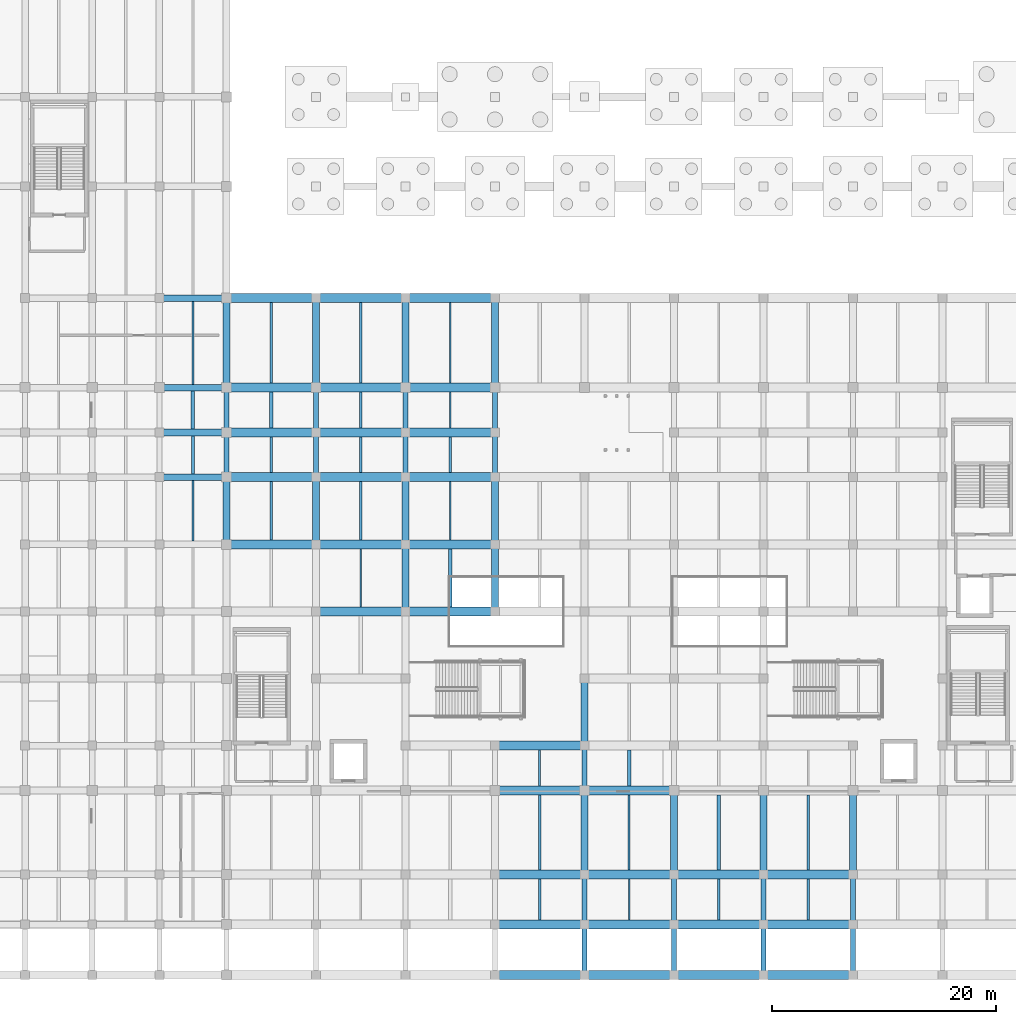
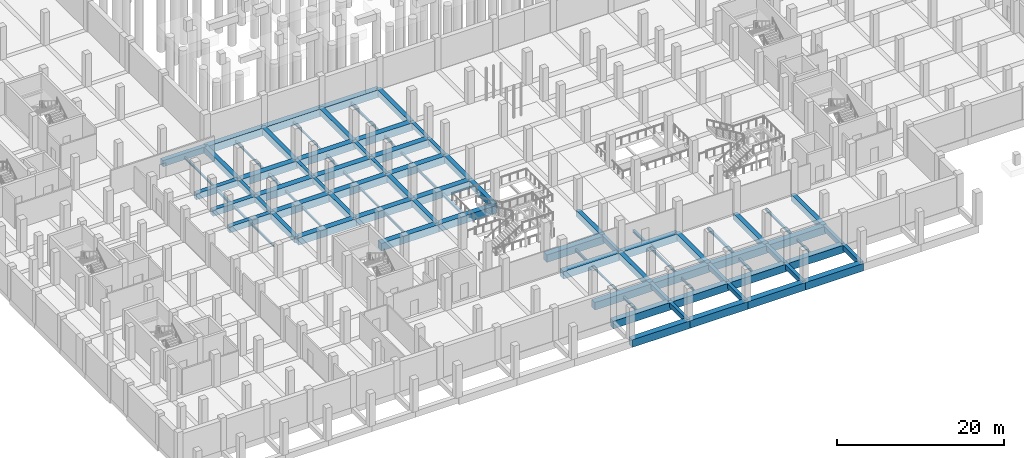
# One storey, part 13 of 36: 96 beams.
"""IFC4 building model written with IfcOpenShell, lengths in metres."""

import ifcopenshell
import ifcopenshell.guid

model = None  # the IFC model being written
_history = None  # IfcOwnerHistory: only IFC2X3 demands one
_inside = {}  # id of a spatial element -> (the spatial element, [elements in it])
_under = {}  # id of a project, library or spatial element -> (it, [spatial elements below it])
_declared = {}  # id of a project -> (the project, [libraries it declares])
_typed = {}  # id of a type object -> (the type object, [elements of that type])
_made_of = {}  # id of a material, layer set ... -> (it, [elements and type objects made of it])


def new_model(schema):
    """Start an empty IFC model of exactly this schema.

    Asked for "IFC4X3", IfcOpenShell would pick the latest addendum, in which some entities
    have other attributes; the version numbers below select the first issue.
    IFC2X3 requires an IfcOwnerHistory on every rooted entity: one is made here for all.
    """
    global model, _history
    if schema == "IFC4X3":
        model = ifcopenshell.file(schema_version=(4, 3, 0, 0))
    else:
        model = ifcopenshell.file(schema=schema)
    _inside.clear()
    _under.clear()
    _declared.clear()
    _typed.clear()
    _made_of.clear()
    _history = None
    if model.schema == "IFC2X3":
        org = make("IfcOrganization", Name="unknown")
        user = make(
            "IfcPersonAndOrganization",
            ThePerson=make("IfcPerson", FamilyName="unknown"),
            TheOrganization=org,
        )
        app = make(
            "IfcApplication",
            ApplicationDeveloper=org,
            Version="unknown",
            ApplicationFullName="unknown",
            ApplicationIdentifier="unknown",
        )
        _history = make(
            "IfcOwnerHistory",
            OwningUser=user,
            OwningApplication=app,
            ChangeAction="ADDED",
            CreationDate=0,
        )
    return model


def make(cls, **values):
    """One entity of the class cls with the attributes given. An attribute that is None is left unset."""
    return model.create_entity(
        cls, **{name: value for name, value in values.items() if value is not None}
    )


def rooted(cls, **values):
    """An entity with a GlobalId (a new one), such as an element, a storey or a relation."""
    return make(cls, GlobalId=ifcopenshell.guid.new(), OwnerHistory=_history, **values)


def si_unit(unit_type, name, prefix=None):
    """IfcSIUnit, for example si_unit("LENGTHUNIT", "METRE", prefix="MILLI")."""
    return make("IfcSIUnit", UnitType=unit_type, Prefix=prefix, Name=name)


def assignment(units):
    """IfcUnitAssignment: the units of a project."""
    return None if units is None else make("IfcUnitAssignment", Units=units)


def point(xyz):
    """IfcCartesianPoint."""
    return None if xyz is None else make("IfcCartesianPoint", Coordinates=xyz)


def direction(xyz):
    """IfcDirection."""
    return None if xyz is None else make("IfcDirection", DirectionRatios=xyz)


def frame(location, z_axis=None, x_axis=None):
    """IfcAxis2Placement3D, a coordinate frame: its origin and axes. An axis left out is left unset."""
    return make(
        "IfcAxis2Placement3D",
        Location=point(location),
        Axis=direction(z_axis),
        RefDirection=direction(x_axis),
    )


def frame_2d(location, x_axis=None):
    """IfcAxis2Placement2D, a coordinate frame in the plane: its origin and x axis."""
    return make(
        "IfcAxis2Placement2D", Location=point(location), RefDirection=direction(x_axis)
    )


def origin():
    """The frame at (0, 0, 0) with its axes left unset."""
    return frame((0.0, 0.0, 0.0))


def origin_2d():
    """The frame at (0, 0) in the plane with its x axis left unset."""
    return frame_2d((0.0, 0.0))


def place(relative_to, where):
    """IfcLocalPlacement: puts the frame where relative to a parent placement (None: the world)."""
    return make(
        "IfcLocalPlacement", PlacementRelTo=relative_to, RelativePlacement=where
    )


def context(
    kind, dimensions, precision=None, world=None, true_north=None, identifier=None
):
    """IfcGeometricRepresentationContext, for example the 3D "Model" context."""
    return make(
        "IfcGeometricRepresentationContext",
        ContextIdentifier=identifier,
        ContextType=kind,
        CoordinateSpaceDimension=dimensions,
        Precision=precision,
        WorldCoordinateSystem=world,
        TrueNorth=true_north,
    )


def subcontext(parent, identifier, kind, view, scale=None):
    """IfcGeometricRepresentationSubContext, for example "Body" below "Model"."""
    return make(
        "IfcGeometricRepresentationSubContext",
        ContextIdentifier=identifier,
        ContextType=kind,
        ParentContext=parent,
        TargetScale=scale,
        TargetView=view,
    )


def project(units=None, contexts=None):
    """IfcProject with its units and contexts."""
    return rooted(
        "IfcProject",
        Name="project",
        RepresentationContexts=contexts,
        UnitsInContext=assignment(units),
    )


def spatial(cls, under=None, at=None, **own):
    """A site, building, storey or space (cls), placed at a placement, below another one or the project."""
    s = rooted(cls, ObjectPlacement=at, **own)
    if under is not None:
        _under.setdefault(under.id(), (under, []))[1].append(s)
    return s


def profile(cls, at=None, kind="AREA", **sizes):
    """A parametric profile (cls). Its sizes go by their IFC names, for example OverallWidth=200.0."""
    return make(cls, ProfileType=kind, Position=at, **sizes)


def rectangle(**sizes):
    """IfcRectangleProfileDef."""
    return profile("IfcRectangleProfileDef", **sizes)


def i_section(**sizes):
    """IfcIShapeProfileDef."""
    return profile("IfcIShapeProfileDef", **sizes)


def extrude(swept, where, along, depth):
    """IfcExtrudedAreaSolid: the profile swept, set in the frame where, extruded along a direction by depth."""
    return make(
        "IfcExtrudedAreaSolid",
        SweptArea=swept,
        Position=where,
        ExtrudedDirection=direction(along),
        Depth=depth,
    )


def shape(context_of_items, identifier, shape_type, items):
    """IfcShapeRepresentation: the items that make up one representation, for example the "Body"."""
    return make(
        "IfcShapeRepresentation",
        ContextOfItems=context_of_items,
        RepresentationIdentifier=identifier,
        RepresentationType=shape_type,
        Items=items,
    )


def material(Name=None, Category=None):
    """IfcMaterial."""
    return make("IfcMaterial", Name=Name, Category=Category)


def material_profile(
    of_material, cross_section, Name=None, Category=None, Priority=None
):
    """IfcMaterialProfile: a cross section and its material."""
    return make(
        "IfcMaterialProfile",
        Name=Name,
        Material=of_material,
        Profile=cross_section,
        Priority=Priority,
        Category=Category,
    )


def profile_set(profiles, Name=None, composite=None):
    """IfcMaterialProfileSet."""
    return make(
        "IfcMaterialProfileSet",
        Name=Name,
        MaterialProfiles=profiles,
        CompositeProfile=composite,
    )


def made_of(thing, what):
    """Note that an element or type object is made of a material, layer set ...; save() writes the relation."""
    if what is not None:
        _made_of.setdefault(what.id(), (what, []))[1].append(thing)
    return thing


def type_object(cls, material=None, **own):
    """A type object (cls), such as IfcWallType, which elements share."""
    return made_of(rooted(cls, **own), material)


def element(
    cls,
    number,
    at=None,
    inside=None,
    cuts=None,
    type_object=None,
    material=None,
    context=None,
    identifier="Body",
    shape_type=None,
    held_by="IfcProductDefinitionShape",
    body=None,
    shapes=None,
    **own,
):
    """One element of the class cls, such as IfcWall. Its Tag is "e" and its number.

    at: its placement. inside: the storey or other place that contains it. cuts: it is an
    opening in that element (IfcRelVoidsElement). A single representation is given by context,
    identifier, shape_type and body (its items); several are given by shapes. held_by: the class
    of the entity that holds the representations. save() writes the other relations.
    """
    e = rooted(cls, Tag="e%d" % number, ObjectPlacement=at, **own)
    if body is not None:
        shapes = [shape(context, identifier, shape_type, body)]
    if shapes is not None:
        e.Representation = make(held_by, Representations=shapes)
    if inside is not None:
        _inside.setdefault(inside.id(), (inside, []))[1].append(e)
    if cuts is not None:
        rooted(
            "IfcRelVoidsElement", RelatingBuildingElement=cuts, RelatedOpeningElement=e
        )
    if type_object is not None:
        _typed.setdefault(type_object.id(), (type_object, []))[1].append(e)
    return made_of(e, material)


def aggregate(whole, parts):
    """IfcRelAggregates: a whole, such as a stair, and the parts it consists of."""
    return rooted("IfcRelAggregates", RelatingObject=whole, RelatedObjects=parts)


def save(model, path):
    """Write the relations noted so far, then the file.

    IfcRelAggregates (storeys below a building ...), IfcRelContainedInSpatialStructure (elements
    in a storey), IfcRelDefinesByType, IfcRelAssociatesMaterial and IfcRelDeclares: one each for
    every whole, place, type object, material and project.
    """
    for whole, parts in _under.values():
        aggregate(whole, parts)
    for where, things in _inside.values():
        rooted(
            "IfcRelContainedInSpatialStructure",
            RelatedElements=things,
            RelatingStructure=where,
        )
    for kind, things in _typed.values():
        rooted("IfcRelDefinesByType", RelatedObjects=things, RelatingType=kind)
    for what, things in _made_of.values():
        rooted("IfcRelAssociatesMaterial", RelatedObjects=things, RelatingMaterial=what)
    for by, libraries in _declared.values():
        rooted("IfcRelDeclares", RelatingContext=by, RelatedDefinitions=libraries)
    model.write(path)


model = new_model("IFC4")

# Units and contexts
model_context = context("Model", 3, precision=1e-05, world=origin(), true_north=direction((0.0, 1.0)))
body_context = subcontext(model_context, "Body", "Model", "MODEL_VIEW")
ifc_project = project(units=[si_unit("LENGTHUNIT", "METRE"), si_unit("AREAUNIT", "SQUARE_METRE"), si_unit("VOLUMEUNIT", "CUBIC_METRE"), si_unit("PLANEANGLEUNIT", "RADIAN"), si_unit("MASSUNIT", "GRAM", prefix="KILO")], contexts=[model_context])

# Site, building, storey
site_placement = place(None, origin())
site = spatial("IfcSite", under=ifc_project, at=site_placement, CompositionType="ELEMENT")
building_placement = place(site_placement, origin())
building = spatial("IfcBuilding", under=site, at=building_placement, Name="Verrall Gate Interchange", CompositionType="ELEMENT")
storey_placement = place(building_placement, frame((0.0, 0.0, -4.800048828125)))
storey = spatial("IfcBuildingStorey", under=building, at=storey_placement, Name="B1", CompositionType="ELEMENT", Elevation=-4.800048828125)

# Beams
ifc_material_1 = material(Name="Concrete CSA A23.1 35 MPa (Class S-2)", Category="concrete")
ifc_material_profile_1 = material_profile(ifc_material_1, rectangle(XDim=0.800048828125, YDim=1.10009765625, at=origin_2d()), Name="RC800x1100")
ifc_profile_set_1 = profile_set([ifc_material_profile_1], Name="Concrete CSA A23.1 35 MPa (Class S-2)")
beam_type_1 = type_object("IfcBeamType", Name="B-01 Structural Beam RC800x1100", PredefinedType="BEAM", material=ifc_profile_set_1)
for number, where, z_axis, x_axis, name in (
    (1, (60.0, -4.5, -0.550048828125), (1.0, 0.0, 0.0), (0.0, 1.0, 0.0), "B1 Girder BM-B1-0010 (B-01)"),
    (2, (68.0, -4.5, -0.550048828125), (1.0, 0.0, 0.0), (0.0, 1.0, 0.0), "B1 Girder BM-B1-0011 (B-01)"),
    (3, (76.0, -4.5, -0.550048828125), (1.0, 0.0, 0.0), (0.0, 1.0, 0.0), "B1 Girder BM-B1-0012 (B-01)"),
    (4, (84.0, -4.5, -0.550048828125), (1.0, 0.0, 0.0), (0.0, 1.0, 0.0), "B1 Girder BM-B1-0013 (B-01)"),
    (5, (60.0, 0.0, -0.550048828125), (1.0, 0.0, 0.0), (0.0, 1.0, 0.0), "B1 Girder BM-B1-0025 (B-01)"),
    (6, (68.0, 0.0, -0.550048828125), (1.0, 0.0, 0.0), (0.0, 1.0, 0.0), "B1 Girder BM-B1-0026 (B-01)"),
    (7, (76.0, 0.0, -0.550048828125), (1.0, 0.0, 0.0), (0.0, 1.0, 0.0), "B1 Girder BM-B1-0027 (B-01)"),
    (8, (84.0, 0.0, -0.550048828125), (1.0, 0.0, 0.0), (0.0, 1.0, 0.0), "B1 Girder BM-B1-0028 (B-01)"),
    (9, (60.0, 4.5, -0.550048828125), (1.0, 0.0, 0.0), (0.0, 1.0, 0.0), "B1 Girder BM-B1-0041 (B-01)"),
    (10, (68.0, 4.5, -0.550048828125), (1.0, 0.0, 0.0), (0.0, 1.0, 0.0), "B1 Girder BM-B1-0042 (B-01)"),
    (11, (76.0, 4.5, -0.550048828125), (1.0, 0.0, 0.0), (0.0, 1.0, 0.0), "B1 Girder BM-B1-0043 (B-01)"),
    (12, (84.0, 4.5, -0.550048828125), (1.0, 0.0, 0.0), (0.0, 1.0, 0.0), "B1 Girder BM-B1-0044 (B-01)"),
    (13, (60.0, 12.0, -0.550048828125), (1.0, 0.0, 0.0), (0.0, 1.0, 0.0), "B1 Girder BM-B1-0056 (B-01)"),
    (14, (68.0, 12.0, -0.550048828125), (1.0, 0.0, 0.0), (0.0, 1.0, 0.0), "B1 Girder BM-B1-0057 (B-01)"),
    (15, (60.0, 16.0, -0.550048828125), (1.0, 0.0, 0.0), (0.0, 1.0, 0.0), "B1 Girder BM-B1-0077 (B-01)"),
    (16, (44.0, 28.0, -0.550048828125), (1.0, 0.0, 0.0), (0.0, 1.0, 0.0), "B1 Girder BM-B1-0115 (B-01)"),
    (17, (52.0, 28.0, -0.550048828125), (1.0, 0.0, 0.0), (0.0, 1.0, 0.0), "B1 Girder BM-B1-0116 (B-01)"),
    (18, (36.0, 34.0, -0.550048828125), (1.0, 0.0, 0.0), (0.0, 1.0, 0.0), "B1 Girder BM-B1-0134 (B-01)"),
    (19, (44.0, 34.0, -0.550048828125), (1.0, 0.0, 0.0), (0.0, 1.0, 0.0), "B1 Girder BM-B1-0135 (B-01)"),
    (20, (52.0, 34.0, -0.550048828125), (1.0, 0.0, 0.0), (0.0, 1.0, 0.0), "B1 Girder BM-B1-0136 (B-01)"),
    (21, (36.0, 40.0, -0.550048828125), (1.0, 0.0, 0.0), (0.0, 1.0, 0.0), "B1 Girder BM-B1-0156 (B-01)"),
    (22, (44.0, 40.0, -0.550048828125), (1.0, 0.0, 0.0), (0.0, 1.0, 0.0), "B1 Girder BM-B1-0157 (B-01)"),
    (23, (52.0, 40.0, -0.550048828125), (1.0, 0.0, 0.0), (0.0, 1.0, 0.0), "B1 Girder BM-B1-0158 (B-01)"),
    (24, (36.0, 44.0, -0.550048828125), (1.0, 0.0, 0.0), (0.0, 1.0, 0.0), "B1 Girder BM-B1-0178 (B-01)"),
    (25, (44.0, 44.0, -0.550048828125), (1.0, 0.0, 0.0), (0.0, 1.0, 0.0), "B1 Girder BM-B1-0179 (B-01)"),
    (26, (52.0, 44.0, -0.550048828125), (1.0, 0.0, 0.0), (0.0, 1.0, 0.0), "B1 Girder BM-B1-0180 (B-01)"),
    (27, (36.0, 48.0, -0.550048828125), (1.0, 0.0, 0.0), (0.0, 1.0, 0.0), "B1 Girder BM-B1-0200 (B-01)"),
    (28, (44.0, 48.0, -0.550048828125), (1.0, 0.0, 0.0), (0.0, 1.0, 0.0), "B1 Girder BM-B1-0201 (B-01)"),
    (29, (52.0, 48.0, -0.550048828125), (1.0, 0.0, 0.0), (0.0, 1.0, 0.0), "B1 Girder BM-B1-0202 (B-01)"),
    (30, (36.0, 56.0, -0.550048828125), (1.0, 0.0, 0.0), (0.0, 1.0, 0.0), "B1 Girder BM-B1-0222 (B-01)"),
    (31, (44.0, 56.0, -0.550048828125), (1.0, 0.0, 0.0), (0.0, 1.0, 0.0), "B1 Girder BM-B1-0223 (B-01)"),
    (32, (52.0, 56.0, -0.550048828125), (1.0, 0.0, 0.0), (0.0, 1.0, 0.0), "B1 Girder BM-B1-0224 (B-01)"),
):
    element("IfcBeam", number, at=place(storey_placement, frame(where, z_axis=z_axis, x_axis=x_axis)), inside=storey, type_object=beam_type_1, Name=name, PredefinedType="BEAM", context=body_context, shape_type="SweptSolid", body=[
        extrude(rectangle(XDim=0.800048828125, YDim=1.10009765625, at=origin_2d()), origin(), (0.0, 0.0, 1.0), 8.0),
    ])
ifc_material_2 = material(Name="Concrete CSA A23.1 40 MPa (Class N)", Category="concrete")
ifc_material_profile_2 = material_profile(ifc_material_2, rectangle(XDim=0.60009765625, YDim=0.89990234375, at=origin_2d()), Name="RC600x900")
ifc_profile_set_2 = profile_set([ifc_material_profile_2], Name="Concrete CSA A23.1 40 MPa (Class N)")
beam_type_2 = type_object("IfcBeamType", Name="B-02 Structural Beam RC600x900", PredefinedType="BEAM", material=ifc_profile_set_2)
for number, where, z_axis, x_axis, name in (
    (33, (30.0, 40.0, -0.449951171875), (1.0, 0.0, 0.0), (0.0, 1.0, 0.0), "B1 Girder BM-B1-0155 (B-02)"),
    (34, (30.0, 44.0, -0.449951171875), (1.0, 0.0, 0.0), (0.0, 1.0, 0.0), "B1 Girder BM-B1-0177 (B-02)"),
    (35, (30.0, 48.0, -0.449951171875), (1.0, 0.0, 0.0), (0.0, 1.0, 0.0), "B1 Girder BM-B1-0199 (B-02)"),
    (36, (30.0, 56.0, -0.449951171875), (1.0, 0.0, 0.0), (0.0, 1.0, 0.0), "B1 Girder BM-B1-0221 (B-02)"),
    (37, (36.0, 34.0, -0.449951171875), (0.0, 1.0, 0.0), (-1.0, 0.0, 0.0), "B1 Girder BM-B1-0361 (B-02)"),
):
    element("IfcBeam", number, at=place(storey_placement, frame(where, z_axis=z_axis, x_axis=x_axis)), inside=storey, type_object=beam_type_2, Name=name, PredefinedType="BEAM", context=body_context, shape_type="SweptSolid", body=[
        extrude(rectangle(XDim=0.60009765625, YDim=0.89990234375, at=origin_2d()), origin(), (0.0, 0.0, 1.0), 6.0),
    ])
beam_1_placement = place(storey_placement, frame((36.0, 48.0, -0.449951171875), z_axis=(0.0, 1.0, 0.0), x_axis=(-1.0, 0.0, 0.0)))
element("IfcBeam", 38, at=beam_1_placement, inside=storey, type_object=beam_type_2, Name="B1 Girder BM-B1-0364 (B-02)", PredefinedType="BEAM", context=body_context, shape_type="SweptSolid", body=[
    extrude(rectangle(XDim=0.60009765625, YDim=0.89990234375, at=origin_2d()), origin(), (0.0, 0.0, 1.0), 8.0),
])
beam_2_placement = place(storey_placement, frame((44.0, 34.0, -0.449951171875), z_axis=(0.0, 1.0, 0.0), x_axis=(-1.0, 0.0, 0.0)))
element("IfcBeam", 39, at=beam_2_placement, inside=storey, type_object=beam_type_2, Name="B1 Girder BM-B1-0376 (B-02)", PredefinedType="BEAM", context=body_context, shape_type="SweptSolid", body=[
    extrude(rectangle(XDim=0.60009765625, YDim=0.89990234375, at=origin_2d()), origin(), (0.0, 0.0, 1.0), 6.0),
])
beam_3_placement = place(storey_placement, frame((44.0, 48.0, -0.449951171875), z_axis=(0.0, 1.0, 0.0), x_axis=(-1.0, 0.0, 0.0)))
element("IfcBeam", 40, at=beam_3_placement, inside=storey, type_object=beam_type_2, Name="B1 Girder BM-B1-0379 (B-02)", PredefinedType="BEAM", context=body_context, shape_type="SweptSolid", body=[
    extrude(rectangle(XDim=0.60009765625, YDim=0.89990234375, at=origin_2d()), origin(), (0.0, 0.0, 1.0), 8.0),
])
for number, where, z_axis, x_axis, name in (
    (41, (52.0, 28.0, -0.449951171875), (0.0, 1.0, 0.0), (-1.0, 0.0, 0.0), "B1 Girder BM-B1-0386 (B-02)"),
    (42, (52.0, 34.0, -0.449951171875), (0.0, 1.0, 0.0), (-1.0, 0.0, 0.0), "B1 Girder BM-B1-0387 (B-02)"),
):
    element("IfcBeam", number, at=place(storey_placement, frame(where, z_axis=z_axis, x_axis=x_axis)), inside=storey, type_object=beam_type_2, Name=name, PredefinedType="BEAM", context=body_context, shape_type="SweptSolid", body=[
        extrude(rectangle(XDim=0.60009765625, YDim=0.89990234375, at=origin_2d()), origin(), (0.0, 0.0, 1.0), 6.0),
    ])
beam_4_placement = place(storey_placement, frame((52.0, 48.0, -0.449951171875), z_axis=(0.0, 1.0, 0.0), x_axis=(-1.0, 0.0, 0.0)))
element("IfcBeam", 43, at=beam_4_placement, inside=storey, type_object=beam_type_2, Name="B1 Girder BM-B1-0390 (B-02)", PredefinedType="BEAM", context=body_context, shape_type="SweptSolid", body=[
    extrude(rectangle(XDim=0.60009765625, YDim=0.89990234375, at=origin_2d()), origin(), (0.0, 0.0, 1.0), 8.0),
])
for number, where, z_axis, x_axis, name in (
    (44, (60.0, 28.0, -0.449951171875), (0.0, 1.0, 0.0), (-1.0, 0.0, 0.0), "B1 Girder BM-B1-0395 (B-02)"),
    (45, (60.0, 34.0, -0.449951171875), (0.0, 1.0, 0.0), (-1.0, 0.0, 0.0), "B1 Girder BM-B1-0396 (B-02)"),
):
    element("IfcBeam", number, at=place(storey_placement, frame(where, z_axis=z_axis, x_axis=x_axis)), inside=storey, type_object=beam_type_2, Name=name, PredefinedType="BEAM", context=body_context, shape_type="SweptSolid", body=[
        extrude(rectangle(XDim=0.60009765625, YDim=0.89990234375, at=origin_2d()), origin(), (0.0, 0.0, 1.0), 6.0),
    ])
beam_5_placement = place(storey_placement, frame((60.0, 48.0, -0.449951171875), z_axis=(0.0, 1.0, 0.0), x_axis=(-1.0, 0.0, 0.0)))
element("IfcBeam", 46, at=beam_5_placement, inside=storey, type_object=beam_type_2, Name="B1 Girder BM-B1-0399 (B-02)", PredefinedType="BEAM", context=body_context, shape_type="SweptSolid", body=[
    extrude(rectangle(XDim=0.60009765625, YDim=0.89990234375, at=origin_2d()), origin(), (0.0, 0.0, 1.0), 8.0),
])
beam_6_placement = place(storey_placement, frame((68.0, 4.5, -0.449951171875), z_axis=(0.0, 1.0, 0.0), x_axis=(-1.0, 0.0, 0.0)))
element("IfcBeam", 47, at=beam_6_placement, inside=storey, type_object=beam_type_2, Name="B1 Girder BM-B1-0402 (B-02)", PredefinedType="BEAM", context=body_context, shape_type="SweptSolid", body=[
    extrude(rectangle(XDim=0.60009765625, YDim=0.89990234375, at=origin_2d()), origin(), (0.0, 0.0, 1.0), 7.5),
])
beam_7_placement = place(storey_placement, frame((68.0, 16.0, -0.449951171875), z_axis=(0.0, 1.0, 0.0), x_axis=(-1.0, 0.0, 0.0)))
element("IfcBeam", 48, at=beam_7_placement, inside=storey, type_object=beam_type_2, Name="B1 Girder BM-B1-0404 (B-02)", PredefinedType="BEAM", context=body_context, shape_type="SweptSolid", body=[
    extrude(rectangle(XDim=0.60009765625, YDim=0.89990234375, at=origin_2d()), origin(), (0.0, 0.0, 1.0), 6.0),
])
for number, where, z_axis, x_axis, name in (
    (49, (76.0, 4.5, -0.449951171875), (0.0, 1.0, 0.0), (-1.0, 0.0, 0.0), "B1 Girder BM-B1-0411 (B-02)"),
    (50, (84.0, 4.5, -0.449951171875), (0.0, 1.0, 0.0), (-1.0, 0.0, 0.0), "B1 Girder BM-B1-0422 (B-02)"),
    (51, (92.0, 4.5, -0.449951171875), (0.0, 1.0, 0.0), (-1.0, 0.0, 0.0), "B1 Girder BM-B1-0433 (B-02)"),
):
    element("IfcBeam", number, at=place(storey_placement, frame(where, z_axis=z_axis, x_axis=x_axis)), inside=storey, type_object=beam_type_2, Name=name, PredefinedType="BEAM", context=body_context, shape_type="SweptSolid", body=[
        extrude(rectangle(XDim=0.60009765625, YDim=0.89990234375, at=origin_2d()), origin(), (0.0, 0.0, 1.0), 7.5),
    ])
ifc_material_3 = material(Name="Concrete CSA A23.1 40 MPa (Class N)", Category="concrete")
ifc_material_profile_3 = material_profile(ifc_material_3, rectangle(XDim=0.449951171875, YDim=0.699951171875, at=origin_2d()), Name="RC450x700")
ifc_profile_set_3 = profile_set([ifc_material_profile_3], Name="Concrete CSA A23.1 40 MPa (Class N)")
beam_type_3 = type_object("IfcBeamType", Name="B-03 Structural Beam RC450x700", PredefinedType="BEAM", material=ifc_profile_set_3)
for number, where, z_axis, x_axis, name in (
    (52, (36.0, 40.0, -0.349853515625), (0.0, 1.0, 0.0), (-1.0, 0.0, 0.0), "B1 Girder BM-B1-0362 (B-03)"),
    (53, (36.0, 44.0, -0.349853515625), (0.0, 1.0, 0.0), (-1.0, 0.0, 0.0), "B1 Girder BM-B1-0363 (B-03)"),
    (54, (44.0, 40.0, -0.349853515625), (0.0, 1.0, 0.0), (-1.0, 0.0, 0.0), "B1 Girder BM-B1-0377 (B-03)"),
    (55, (44.0, 44.0, -0.349853515625), (0.0, 1.0, 0.0), (-1.0, 0.0, 0.0), "B1 Girder BM-B1-0378 (B-03)"),
    (56, (52.0, 40.0, -0.349853515625), (0.0, 1.0, 0.0), (-1.0, 0.0, 0.0), "B1 Girder BM-B1-0388 (B-03)"),
    (57, (52.0, 44.0, -0.349853515625), (0.0, 1.0, 0.0), (-1.0, 0.0, 0.0), "B1 Girder BM-B1-0389 (B-03)"),
    (58, (60.0, 40.0, -0.349853515625), (0.0, 1.0, 0.0), (-1.0, 0.0, 0.0), "B1 Girder BM-B1-0397 (B-03)"),
    (59, (60.0, 44.0, -0.349853515625), (0.0, 1.0, 0.0), (-1.0, 0.0, 0.0), "B1 Girder BM-B1-0398 (B-03)"),
):
    element("IfcBeam", number, at=place(storey_placement, frame(where, z_axis=z_axis, x_axis=x_axis)), inside=storey, type_object=beam_type_3, Name=name, PredefinedType="BEAM", context=body_context, shape_type="SweptSolid", body=[
        extrude(rectangle(XDim=0.449951171875, YDim=0.699951171875, at=origin_2d()), origin(), (0.0, 0.0, 1.0), 4.0),
    ])
for number, where, z_axis, x_axis, name in (
    (60, (68.0, -4.5, -0.349853515625), (0.0, 1.0, 0.0), (-1.0, 0.0, 0.0), "B1 Girder BM-B1-0400 (B-03)"),
    (61, (68.0, 0.0, -0.349853515625), (0.0, 1.0, 0.0), (-1.0, 0.0, 0.0), "B1 Girder BM-B1-0401 (B-03)"),
):
    element("IfcBeam", number, at=place(storey_placement, frame(where, z_axis=z_axis, x_axis=x_axis)), inside=storey, type_object=beam_type_3, Name=name, PredefinedType="BEAM", context=body_context, shape_type="SweptSolid", body=[
        extrude(rectangle(XDim=0.449951171875, YDim=0.699951171875, at=origin_2d()), origin(), (0.0, 0.0, 1.0), 4.5),
    ])
beam_8_placement = place(storey_placement, frame((68.0, 12.0, -0.349853515625), z_axis=(0.0, 1.0, 0.0), x_axis=(-1.0, 0.0, 0.0)))
element("IfcBeam", 62, at=beam_8_placement, inside=storey, type_object=beam_type_3, Name="B1 Girder BM-B1-0403 (B-03)", PredefinedType="BEAM", context=body_context, shape_type="SweptSolid", body=[
    extrude(rectangle(XDim=0.449951171875, YDim=0.699951171875, at=origin_2d()), origin(), (0.0, 0.0, 1.0), 4.0),
])
for number, where, z_axis, x_axis, name in (
    (63, (76.0, -4.5, -0.349853515625), (0.0, 1.0, 0.0), (-1.0, 0.0, 0.0), "B1 Girder BM-B1-0409 (B-03)"),
    (64, (76.0, 0.0, -0.349853515625), (0.0, 1.0, 0.0), (-1.0, 0.0, 0.0), "B1 Girder BM-B1-0410 (B-03)"),
    (65, (84.0, -4.5, -0.349853515625), (0.0, 1.0, 0.0), (-1.0, 0.0, 0.0), "B1 Girder BM-B1-0420 (B-03)"),
    (66, (84.0, 0.0, -0.349853515625), (0.0, 1.0, 0.0), (-1.0, 0.0, 0.0), "B1 Girder BM-B1-0421 (B-03)"),
    (67, (92.0, -4.5, -0.349853515625), (0.0, 1.0, 0.0), (-1.0, 0.0, 0.0), "B1 Girder BM-B1-0431 (B-03)"),
    (68, (92.0, 0.0, -0.349853515625), (0.0, 1.0, 0.0), (-1.0, 0.0, 0.0), "B1 Girder BM-B1-0432 (B-03)"),
):
    element("IfcBeam", number, at=place(storey_placement, frame(where, z_axis=z_axis, x_axis=x_axis)), inside=storey, type_object=beam_type_3, Name=name, PredefinedType="BEAM", context=body_context, shape_type="SweptSolid", body=[
        extrude(rectangle(XDim=0.449951171875, YDim=0.699951171875, at=origin_2d()), origin(), (0.0, 0.0, 1.0), 4.5),
    ])
ifc_material_4 = material(Name="Structural Steel CSA G40.21 350W", Category="steel")
ifc_material_profile_4 = material_profile(ifc_material_4, i_section(OverallWidth=0.172119140625, OverallDepth=0.35791015625, WebThickness=0.0078125, FlangeThickness=0.01318359375, FilletRadius=0.010986328125, at=origin_2d()), Name="W360x57")
ifc_profile_set_4 = profile_set([ifc_material_profile_4], Name="Structural Steel CSA G40.21 350W")
beam_type_4 = type_object("IfcBeamType", Name="J-01 Floor Joist W360x57", PredefinedType="JOIST", material=ifc_profile_set_4)
beam_9_placement = place(storey_placement, frame((72.0, 4.89990234375, -0.62890625), z_axis=(0.0, 1.0, 0.0), x_axis=(-1.0, 0.0, 0.0)))
element("IfcBeam", 69, at=beam_9_placement, inside=storey, type_object=beam_type_4, Name="B1 Secondary Floor Joist JST-B1-0557", PredefinedType="JOIST", context=body_context, shape_type="SweptSolid", body=[
    extrude(i_section(OverallWidth=0.172119140625, OverallDepth=0.35791015625, WebThickness=0.0078125, FlangeThickness=0.01318359375, FilletRadius=0.010986328125, at=origin_2d()), origin(), (0.0, 0.0, 1.0), 6.7001953125),
])
beam_10_placement = place(storey_placement, frame((64.0, 12.39990234375, -0.62890625), z_axis=(0.0, 1.0, 0.0), x_axis=(-1.0, 0.0, 0.0)))
element("IfcBeam", 70, at=beam_10_placement, inside=storey, type_object=beam_type_4, Name="B1 Secondary Floor Joist JST-B1-0568", PredefinedType="JOIST", context=body_context, shape_type="SweptSolid", body=[
    extrude(i_section(OverallWidth=0.172119140625, OverallDepth=0.35791015625, WebThickness=0.0078125, FlangeThickness=0.01318359375, FilletRadius=0.010986328125, at=origin_2d()), origin(), (0.0, 0.0, 1.0), 3.2001953125),
])
for number, where, z_axis, x_axis, name in (
    (71, (48.0, 28.39990234375, -0.62890625), (0.0, 1.0, 0.0), (-1.0, 0.0, 0.0), "B1 Secondary Floor Joist JST-B1-0614"),
    (72, (56.0, 34.39990234375, -0.62890625), (0.0, 1.0, 0.0), (-1.0, 0.0, 0.0), "B1 Secondary Floor Joist JST-B1-0632"),
):
    element("IfcBeam", number, at=place(storey_placement, frame(where, z_axis=z_axis, x_axis=x_axis)), inside=storey, type_object=beam_type_4, Name=name, PredefinedType="JOIST", context=body_context, shape_type="SweptSolid", body=[
        extrude(i_section(OverallWidth=0.172119140625, OverallDepth=0.35791015625, WebThickness=0.0078125, FlangeThickness=0.01318359375, FilletRadius=0.010986328125, at=origin_2d()), origin(), (0.0, 0.0, 1.0), 5.2001953125),
    ])
beam_11_placement = place(storey_placement, frame((56.0, 48.39990234375, -0.62890625), z_axis=(0.0, 1.0, 0.0), x_axis=(-1.0, 0.0, 0.0)))
element("IfcBeam", 73, at=beam_11_placement, inside=storey, type_object=beam_type_4, Name="B1 Secondary Floor Joist JST-B1-0688", PredefinedType="JOIST", context=body_context, shape_type="SweptSolid", body=[
    extrude(i_section(OverallWidth=0.172119140625, OverallDepth=0.35791015625, WebThickness=0.0078125, FlangeThickness=0.01318359375, FilletRadius=0.010986328125, at=origin_2d()), origin(), (0.0, 0.0, 1.0), 7.2001953125),
])
ifc_material_5 = material(Name="Structural Steel CSA G40.21 350W", Category="steel")
ifc_material_profile_5 = material_profile(ifc_material_5, i_section(OverallWidth=0.306884765625, OverallDepth=0.31396484375, WebThickness=0.011962890625, FlangeThickness=0.018798828125, FilletRadius=0.013916015625, at=origin_2d()), Name="W310x118")
ifc_profile_set_5 = profile_set([ifc_material_profile_5], Name="Structural Steel CSA G40.21 350W")
beam_type_5 = type_object("IfcBeamType", Name="J-02 Floor Joist W310x118", PredefinedType="JOIST", material=ifc_profile_set_5)
beam_12_placement = place(storey_placement, frame((80.0, 4.89990234375, -0.60693359375), z_axis=(0.0, 1.0, 0.0), x_axis=(-1.0, 0.0, 0.0)))
element("IfcBeam", 74, at=beam_12_placement, inside=storey, type_object=beam_type_5, Name="B1 Secondary Floor Joist JST-B1-0558", PredefinedType="JOIST", context=body_context, shape_type="SweptSolid", body=[
    extrude(i_section(OverallWidth=0.306884765625, OverallDepth=0.31396484375, WebThickness=0.011962890625, FlangeThickness=0.018798828125, FilletRadius=0.013916015625, at=origin_2d()), origin(), (0.0, 0.0, 1.0), 6.7001953125),
])
beam_13_placement = place(storey_placement, frame((72.0, 12.39990234375, -0.60693359375), z_axis=(0.0, 1.0, 0.0), x_axis=(-1.0, 0.0, 0.0)))
element("IfcBeam", 75, at=beam_13_placement, inside=storey, type_object=beam_type_5, Name="B1 Secondary Floor Joist JST-B1-0569", PredefinedType="JOIST", context=body_context, shape_type="SweptSolid", body=[
    extrude(i_section(OverallWidth=0.306884765625, OverallDepth=0.31396484375, WebThickness=0.011962890625, FlangeThickness=0.018798828125, FilletRadius=0.013916015625, at=origin_2d()), origin(), (0.0, 0.0, 1.0), 3.2001953125),
])
beam_14_placement = place(storey_placement, frame((56.0, 28.39990234375, -0.60693359375), z_axis=(0.0, 1.0, 0.0), x_axis=(-1.0, 0.0, 0.0)))
element("IfcBeam", 76, at=beam_14_placement, inside=storey, type_object=beam_type_5, Name="B1 Secondary Floor Joist JST-B1-0615", PredefinedType="JOIST", context=body_context, shape_type="SweptSolid", body=[
    extrude(i_section(OverallWidth=0.306884765625, OverallDepth=0.31396484375, WebThickness=0.011962890625, FlangeThickness=0.018798828125, FilletRadius=0.013916015625, at=origin_2d()), origin(), (0.0, 0.0, 1.0), 5.2001953125),
])
beam_15_placement = place(storey_placement, frame((33.0, 44.300048828125, -0.60693359375), z_axis=(0.0, 1.0, 0.0), x_axis=(-1.0, 0.0, 0.0)))
element("IfcBeam", 77, at=beam_15_placement, inside=storey, type_object=beam_type_5, Name="B1 Secondary Floor Joist JST-B1-0667", PredefinedType="JOIST", context=body_context, shape_type="SweptSolid", body=[
    extrude(i_section(OverallWidth=0.306884765625, OverallDepth=0.31396484375, WebThickness=0.011962890625, FlangeThickness=0.018798828125, FilletRadius=0.013916015625, at=origin_2d()), origin(), (0.0, 0.0, 1.0), 3.39990234375),
])
beam_16_placement = place(storey_placement, frame((40.0, 44.39990234375, -0.60693359375), z_axis=(0.0, 1.0, 0.0), x_axis=(-1.0, 0.0, 0.0)))
element("IfcBeam", 78, at=beam_16_placement, inside=storey, type_object=beam_type_5, Name="B1 Secondary Floor Joist JST-B1-0668", PredefinedType="JOIST", context=body_context, shape_type="SweptSolid", body=[
    extrude(i_section(OverallWidth=0.306884765625, OverallDepth=0.31396484375, WebThickness=0.011962890625, FlangeThickness=0.018798828125, FilletRadius=0.013916015625, at=origin_2d()), origin(), (0.0, 0.0, 1.0), 3.2001953125),
])
ifc_material_6 = material(Name="Structural Steel CSA G40.21 350W", Category="steel")
ifc_material_profile_6 = material_profile(ifc_material_6, i_section(OverallWidth=0.25390625, OverallDepth=0.305908203125, WebThickness=0.0087890625, FlangeThickness=0.0146484375, FilletRadius=0.012939453125, at=origin_2d()), Name="W310x79")
ifc_profile_set_6 = profile_set([ifc_material_profile_6], Name="Structural Steel CSA G40.21 350W")
beam_type_6 = type_object("IfcBeamType", Name="J-03 Floor Joist W310x79", PredefinedType="JOIST", material=ifc_profile_set_6)
beam_17_placement = place(storey_placement, frame((64.0, 0.39990234375, -0.60302734375), z_axis=(0.0, 1.0, 0.0), x_axis=(-1.0, 0.0, 0.0)))
element("IfcBeam", 79, at=beam_17_placement, inside=storey, type_object=beam_type_6, Name="B1 Secondary Floor Joist JST-B1-0542", PredefinedType="JOIST", context=body_context, shape_type="SweptSolid", body=[
    extrude(i_section(OverallWidth=0.25390625, OverallDepth=0.305908203125, WebThickness=0.0087890625, FlangeThickness=0.0146484375, FilletRadius=0.012939453125, at=origin_2d()), origin(), (0.0, 0.0, 1.0), 3.7001953125),
])
beam_18_placement = place(storey_placement, frame((88.0, 4.89990234375, -0.60302734375), z_axis=(0.0, 1.0, 0.0), x_axis=(-1.0, 0.0, 0.0)))
element("IfcBeam", 80, at=beam_18_placement, inside=storey, type_object=beam_type_6, Name="B1 Secondary Floor Joist JST-B1-0559", PredefinedType="JOIST", context=body_context, shape_type="SweptSolid", body=[
    extrude(i_section(OverallWidth=0.25390625, OverallDepth=0.305908203125, WebThickness=0.0087890625, FlangeThickness=0.0146484375, FilletRadius=0.012939453125, at=origin_2d()), origin(), (0.0, 0.0, 1.0), 6.7001953125),
])
beam_19_placement = place(storey_placement, frame((48.0, 44.39990234375, -0.60302734375), z_axis=(0.0, 1.0, 0.0), x_axis=(-1.0, 0.0, 0.0)))
element("IfcBeam", 81, at=beam_19_placement, inside=storey, type_object=beam_type_6, Name="B1 Secondary Floor Joist JST-B1-0669", PredefinedType="JOIST", context=body_context, shape_type="SweptSolid", body=[
    extrude(i_section(OverallWidth=0.25390625, OverallDepth=0.305908203125, WebThickness=0.0087890625, FlangeThickness=0.0146484375, FilletRadius=0.012939453125, at=origin_2d()), origin(), (0.0, 0.0, 1.0), 3.2001953125),
])
ifc_material_7 = material(Name="Structural Steel CSA G40.21 350W", Category="steel")
ifc_material_profile_7 = material_profile(ifc_material_7, i_section(OverallWidth=0.1650390625, OverallDepth=0.31005859375, WebThickness=0.005859375, FlangeThickness=0.009765625, FilletRadius=0.010009765625, at=origin_2d()), Name="W310x39")
ifc_profile_set_7 = profile_set([ifc_material_profile_7], Name="Structural Steel CSA G40.21 350W")
beam_type_7 = type_object("IfcBeamType", Name="J-04 Floor Joist W310x39", PredefinedType="JOIST", material=ifc_profile_set_7)
beam_20_placement = place(storey_placement, frame((72.0, 0.39990234375, -0.60498046875), z_axis=(0.0, 1.0, 0.0), x_axis=(-1.0, 0.0, 0.0)))
element("IfcBeam", 82, at=beam_20_placement, inside=storey, type_object=beam_type_7, Name="B1 Secondary Floor Joist JST-B1-0543", PredefinedType="JOIST", context=body_context, shape_type="SweptSolid", body=[
    extrude(i_section(OverallWidth=0.1650390625, OverallDepth=0.31005859375, WebThickness=0.005859375, FlangeThickness=0.009765625, FilletRadius=0.010009765625, at=origin_2d()), origin(), (0.0, 0.0, 1.0), 3.7001953125),
])
beam_21_placement = place(storey_placement, frame((56.0, 44.39990234375, -0.60498046875), z_axis=(0.0, 1.0, 0.0), x_axis=(-1.0, 0.0, 0.0)))
element("IfcBeam", 83, at=beam_21_placement, inside=storey, type_object=beam_type_7, Name="B1 Secondary Floor Joist JST-B1-0670", PredefinedType="JOIST", context=body_context, shape_type="SweptSolid", body=[
    extrude(i_section(OverallWidth=0.1650390625, OverallDepth=0.31005859375, WebThickness=0.005859375, FlangeThickness=0.009765625, FilletRadius=0.010009765625, at=origin_2d()), origin(), (0.0, 0.0, 1.0), 3.2001953125),
])
ifc_material_8 = material(Name="Structural Steel CSA G40.21 350W", Category="steel")
ifc_material_profile_8 = material_profile(ifc_material_8, i_section(OverallWidth=0.25390625, OverallDepth=0.2529296875, WebThickness=0.008544921875, FlangeThickness=0.01416015625, FilletRadius=0.011962890625, at=origin_2d()), Name="W250x73")
ifc_profile_set_8 = profile_set([ifc_material_profile_8], Name="Structural Steel CSA G40.21 350W")
beam_type_8 = type_object("IfcBeamType", Name="J-05 Floor Joist W250x73", PredefinedType="JOIST", material=ifc_profile_set_8)
beam_22_placement = place(storey_placement, frame((80.0, 0.39990234375, -0.576416015625), z_axis=(0.0, 1.0, 0.0), x_axis=(-1.0, 0.0, 0.0)))
element("IfcBeam", 84, at=beam_22_placement, inside=storey, type_object=beam_type_8, Name="B1 Secondary Floor Joist JST-B1-0544", PredefinedType="JOIST", context=body_context, shape_type="SweptSolid", body=[
    extrude(i_section(OverallWidth=0.25390625, OverallDepth=0.2529296875, WebThickness=0.008544921875, FlangeThickness=0.01416015625, FilletRadius=0.011962890625, at=origin_2d()), origin(), (0.0, 0.0, 1.0), 3.7001953125),
])
beam_23_placement = place(storey_placement, frame((33.0, 40.300048828125, -0.576416015625), z_axis=(0.0, 1.0, 0.0), x_axis=(-1.0, 0.0, 0.0)))
element("IfcBeam", 85, at=beam_23_placement, inside=storey, type_object=beam_type_8, Name="B1 Secondary Floor Joist JST-B1-0648", PredefinedType="JOIST", context=body_context, shape_type="SweptSolid", body=[
    extrude(i_section(OverallWidth=0.25390625, OverallDepth=0.2529296875, WebThickness=0.008544921875, FlangeThickness=0.01416015625, FilletRadius=0.011962890625, at=origin_2d()), origin(), (0.0, 0.0, 1.0), 3.39990234375),
])
beam_24_placement = place(storey_placement, frame((40.0, 40.39990234375, -0.576416015625), z_axis=(0.0, 1.0, 0.0), x_axis=(-1.0, 0.0, 0.0)))
element("IfcBeam", 86, at=beam_24_placement, inside=storey, type_object=beam_type_8, Name="B1 Secondary Floor Joist JST-B1-0649", PredefinedType="JOIST", context=body_context, shape_type="SweptSolid", body=[
    extrude(i_section(OverallWidth=0.25390625, OverallDepth=0.2529296875, WebThickness=0.008544921875, FlangeThickness=0.01416015625, FilletRadius=0.011962890625, at=origin_2d()), origin(), (0.0, 0.0, 1.0), 3.2001953125),
])
ifc_material_9 = material(Name="Structural Steel CSA G40.21 350W", Category="steel")
ifc_material_profile_9 = material_profile(ifc_material_9, i_section(OverallWidth=0.201904296875, OverallDepth=0.2470703125, WebThickness=0.00732421875, FlangeThickness=0.010986328125, FilletRadius=0.010986328125, at=origin_2d()), Name="W250x49")
ifc_profile_set_9 = profile_set([ifc_material_profile_9], Name="Structural Steel CSA G40.21 350W")
beam_type_9 = type_object("IfcBeamType", Name="J-06 Floor Joist W250x49", PredefinedType="JOIST", material=ifc_profile_set_9)
beam_25_placement = place(storey_placement, frame((88.0, 0.39990234375, -0.573486328125), z_axis=(0.0, 1.0, 0.0), x_axis=(-1.0, 0.0, 0.0)))
element("IfcBeam", 87, at=beam_25_placement, inside=storey, type_object=beam_type_9, Name="B1 Secondary Floor Joist JST-B1-0545", PredefinedType="JOIST", context=body_context, shape_type="SweptSolid", body=[
    extrude(i_section(OverallWidth=0.201904296875, OverallDepth=0.2470703125, WebThickness=0.00732421875, FlangeThickness=0.010986328125, FilletRadius=0.010986328125, at=origin_2d()), origin(), (0.0, 0.0, 1.0), 3.7001953125),
])
beam_26_placement = place(storey_placement, frame((33.0, 34.300048828125, -0.573486328125), z_axis=(0.0, 1.0, 0.0), x_axis=(-1.0, 0.0, 0.0)))
element("IfcBeam", 88, at=beam_26_placement, inside=storey, type_object=beam_type_9, Name="B1 Secondary Floor Joist JST-B1-0629", PredefinedType="JOIST", context=body_context, shape_type="SweptSolid", body=[
    extrude(i_section(OverallWidth=0.201904296875, OverallDepth=0.2470703125, WebThickness=0.00732421875, FlangeThickness=0.010986328125, FilletRadius=0.010986328125, at=origin_2d()), origin(), (0.0, 0.0, 1.0), 5.39990234375),
])
beam_27_placement = place(storey_placement, frame((40.0, 34.39990234375, -0.573486328125), z_axis=(0.0, 1.0, 0.0), x_axis=(-1.0, 0.0, 0.0)))
element("IfcBeam", 89, at=beam_27_placement, inside=storey, type_object=beam_type_9, Name="B1 Secondary Floor Joist JST-B1-0630", PredefinedType="JOIST", context=body_context, shape_type="SweptSolid", body=[
    extrude(i_section(OverallWidth=0.201904296875, OverallDepth=0.2470703125, WebThickness=0.00732421875, FlangeThickness=0.010986328125, FilletRadius=0.010986328125, at=origin_2d()), origin(), (0.0, 0.0, 1.0), 5.2001953125),
])
beam_28_placement = place(storey_placement, frame((48.0, 40.39990234375, -0.573486328125), z_axis=(0.0, 1.0, 0.0), x_axis=(-1.0, 0.0, 0.0)))
element("IfcBeam", 90, at=beam_28_placement, inside=storey, type_object=beam_type_9, Name="B1 Secondary Floor Joist JST-B1-0650", PredefinedType="JOIST", context=body_context, shape_type="SweptSolid", body=[
    extrude(i_section(OverallWidth=0.201904296875, OverallDepth=0.2470703125, WebThickness=0.00732421875, FlangeThickness=0.010986328125, FilletRadius=0.010986328125, at=origin_2d()), origin(), (0.0, 0.0, 1.0), 3.2001953125),
])
beam_29_placement = place(storey_placement, frame((33.0, 48.300048828125, -0.573486328125), z_axis=(0.0, 1.0, 0.0), x_axis=(-1.0, 0.0, 0.0)))
element("IfcBeam", 91, at=beam_29_placement, inside=storey, type_object=beam_type_9, Name="B1 Secondary Floor Joist JST-B1-0685", PredefinedType="JOIST", context=body_context, shape_type="SweptSolid", body=[
    extrude(i_section(OverallWidth=0.201904296875, OverallDepth=0.2470703125, WebThickness=0.00732421875, FlangeThickness=0.010986328125, FilletRadius=0.010986328125, at=origin_2d()), origin(), (0.0, 0.0, 1.0), 7.39990234375),
])
beam_30_placement = place(storey_placement, frame((40.0, 48.39990234375, -0.573486328125), z_axis=(0.0, 1.0, 0.0), x_axis=(-1.0, 0.0, 0.0)))
element("IfcBeam", 92, at=beam_30_placement, inside=storey, type_object=beam_type_9, Name="B1 Secondary Floor Joist JST-B1-0686", PredefinedType="JOIST", context=body_context, shape_type="SweptSolid", body=[
    extrude(i_section(OverallWidth=0.201904296875, OverallDepth=0.2470703125, WebThickness=0.00732421875, FlangeThickness=0.010986328125, FilletRadius=0.010986328125, at=origin_2d()), origin(), (0.0, 0.0, 1.0), 7.2001953125),
])
ifc_material_10 = material(Name="Structural Steel CSA G40.21 350W", Category="steel")
ifc_material_profile_10 = material_profile(ifc_material_10, i_section(OverallWidth=0.202880859375, OverallDepth=0.202880859375, WebThickness=0.007080078125, FlangeThickness=0.010986328125, FilletRadius=0.010009765625, at=origin_2d()), Name="W200x46")
ifc_profile_set_10 = profile_set([ifc_material_profile_10], Name="Structural Steel CSA G40.21 350W")
beam_type_10 = type_object("IfcBeamType", Name="J-07 Floor Joist W200x46", PredefinedType="JOIST", material=ifc_profile_set_10)
beam_31_placement = place(storey_placement, frame((64.0, 4.89990234375, -0.551513671875), z_axis=(0.0, 1.0, 0.0), x_axis=(-1.0, 0.0, 0.0)))
element("IfcBeam", 93, at=beam_31_placement, inside=storey, type_object=beam_type_10, Name="B1 Secondary Floor Joist JST-B1-0556", PredefinedType="JOIST", context=body_context, shape_type="SweptSolid", body=[
    extrude(i_section(OverallWidth=0.202880859375, OverallDepth=0.202880859375, WebThickness=0.007080078125, FlangeThickness=0.010986328125, FilletRadius=0.010009765625, at=origin_2d()), origin(), (0.0, 0.0, 1.0), 6.7001953125),
])
beam_32_placement = place(storey_placement, frame((48.0, 34.39990234375, -0.551513671875), z_axis=(0.0, 1.0, 0.0), x_axis=(-1.0, 0.0, 0.0)))
element("IfcBeam", 94, at=beam_32_placement, inside=storey, type_object=beam_type_10, Name="B1 Secondary Floor Joist JST-B1-0631", PredefinedType="JOIST", context=body_context, shape_type="SweptSolid", body=[
    extrude(i_section(OverallWidth=0.202880859375, OverallDepth=0.202880859375, WebThickness=0.007080078125, FlangeThickness=0.010986328125, FilletRadius=0.010009765625, at=origin_2d()), origin(), (0.0, 0.0, 1.0), 5.2001953125),
])
beam_33_placement = place(storey_placement, frame((56.0, 40.39990234375, -0.551513671875), z_axis=(0.0, 1.0, 0.0), x_axis=(-1.0, 0.0, 0.0)))
element("IfcBeam", 95, at=beam_33_placement, inside=storey, type_object=beam_type_10, Name="B1 Secondary Floor Joist JST-B1-0651", PredefinedType="JOIST", context=body_context, shape_type="SweptSolid", body=[
    extrude(i_section(OverallWidth=0.202880859375, OverallDepth=0.202880859375, WebThickness=0.007080078125, FlangeThickness=0.010986328125, FilletRadius=0.010009765625, at=origin_2d()), origin(), (0.0, 0.0, 1.0), 3.2001953125),
])
beam_34_placement = place(storey_placement, frame((48.0, 48.39990234375, -0.551513671875), z_axis=(0.0, 1.0, 0.0), x_axis=(-1.0, 0.0, 0.0)))
element("IfcBeam", 96, at=beam_34_placement, inside=storey, type_object=beam_type_10, Name="B1 Secondary Floor Joist JST-B1-0687", PredefinedType="JOIST", context=body_context, shape_type="SweptSolid", body=[
    extrude(i_section(OverallWidth=0.202880859375, OverallDepth=0.202880859375, WebThickness=0.007080078125, FlangeThickness=0.010986328125, FilletRadius=0.010009765625, at=origin_2d()), origin(), (0.0, 0.0, 1.0), 7.2001953125),
])

save(model, "model.ifc")
